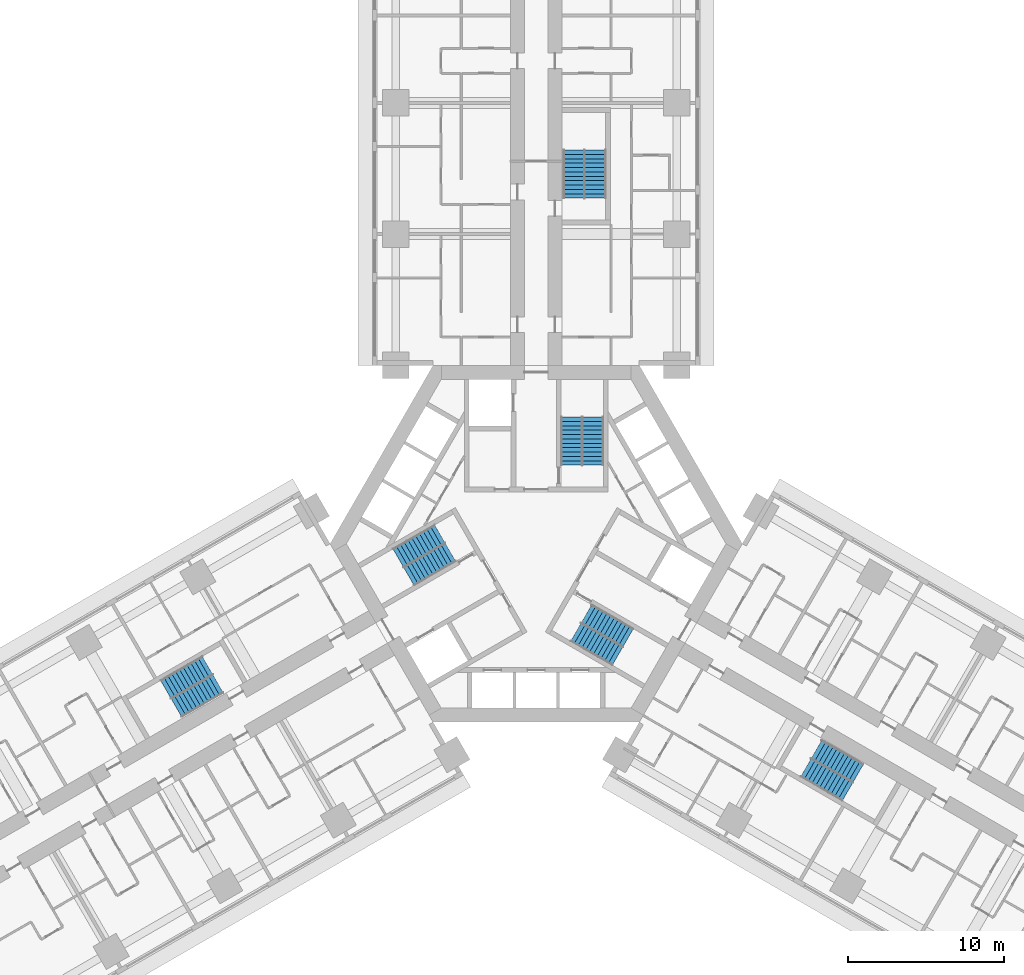
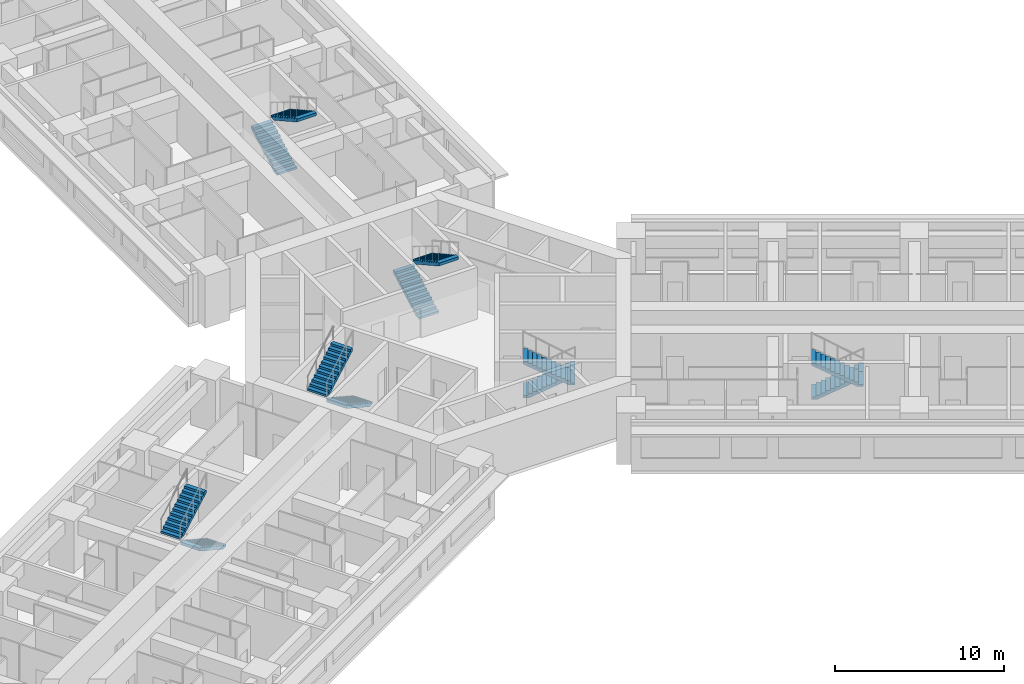
# One storey, part 15 of 16: 12 stair flights, 6 elements without a shape of their own.
"""IFC4 building model written with IfcOpenShell, lengths in metres."""

from ifc_helpers import new_model, si_unit, direction, frame, origin, place, context, subcontext, project, spatial, polyline, outline, extrude, material, type_object, element, aggregate, save


model = new_model("IFC4")

# Units and contexts
model_context = context("Model", 3, precision=1e-05, world=origin(), true_north=direction((0.0, 1.0)))
body_context = subcontext(model_context, "Body", "Model", "MODEL_VIEW")
ifc_project = project(units=[si_unit("LENGTHUNIT", "METRE"), si_unit("AREAUNIT", "SQUARE_METRE"), si_unit("VOLUMEUNIT", "CUBIC_METRE"), si_unit("PLANEANGLEUNIT", "RADIAN"), si_unit("MASSUNIT", "GRAM", prefix="KILO")], contexts=[model_context])

# Site, building, storey
site_placement = place(None, origin())
site = spatial("IfcSite", under=ifc_project, at=site_placement, CompositionType="ELEMENT")
building_placement = place(site_placement, origin())
building = spatial("IfcBuilding", under=site, at=building_placement, Name="Impinga Residences", CompositionType="ELEMENT")
storey_placement = place(building_placement, frame((0.0, 0.0, 41.0)))
storey = spatial("IfcBuildingStorey", under=building, at=storey_placement, Name="L09", CompositionType="ELEMENT", Elevation=41.0)

# Stair, stair flights
ifc_material = material(Name="Concrete C40/50", Category="concrete")
stair_type_1 = type_object("IfcStairType", Name="STR core stair 3750 storey, 24 risers", PredefinedType="HALF_TURN_STAIR", material=ifc_material)
stair_1_placement = place(storey_placement, origin())
stair_1 = element("IfcStair", 1, at=stair_1_placement, inside=storey, type_object=stair_type_1, Name="Stair ST1 L09", PredefinedType="HALF_TURN_STAIR")
stair_flight_type = type_object("IfcStairFlightType", Name="SF 12 risers of 156", PredefinedType="STRAIGHT", material=ifc_material)
stair_flight_1_placement = place(storey_placement, frame((2.27490234375, 5.030029296875, 0.0), z_axis=(0.0, 0.0, 1.0), x_axis=(0.0, 1.0, 0.0)))
stair_flight_1 = element("IfcStairFlight", 2, at=stair_flight_1_placement, type_object=stair_flight_type, Name="ST1 flight 1", NumberOfRisers=12, NumberOfTreads=11, PredefinedType="STRAIGHT", RiserHeight=0.15625, TreadLength=0.28, context=body_context, shape_type="SweptSolid", body=[
    extrude(outline(polyline([(0.0, 0.0), (0.0, 0.15625), (0.280029296875, 0.15625), (0.280029296875, 0.3125), (0.56005859375, 0.3125), (0.56005859375, 0.46875), (0.840087890625, 0.46875), (0.840087890625, 0.625), (1.1201171875, 0.625), (1.1201171875, 0.78125), (1.39990234375, 0.78125), (1.39990234375, 0.9375), (1.679931640625, 0.9375), (1.679931640625, 1.09375), (1.9599609375, 1.09375), (1.9599609375, 1.25), (2.239990234375, 1.25), (2.239990234375, 1.40625), (2.52001953125, 1.40625), (2.52001953125, 1.5625), (2.800048828125, 1.5625), (2.800048828125, 1.71875), (3.080078125, 1.71875), (3.080078125, 1.875), (3.080078125, 1.5126953125), (0.369140625, 0.0), (0.0, 0.0)])), frame((0.0, 0.675048828125, 0.0), z_axis=(0.0, -1.0, 0.0), x_axis=(1.0, 0.0, 0.0)), (0.0, 0.0, 1.0), 1.35009765625),
])
stair_flight_2_placement = place(storey_placement, frame((3.625, 8.110107421875, 1.875), z_axis=(0.0, 0.0, 1.0), x_axis=(0.0, -1.0, 0.0)))
stair_flight_2 = element("IfcStairFlight", 3, at=stair_flight_2_placement, type_object=stair_flight_type, Name="ST1 flight 2", NumberOfRisers=12, NumberOfTreads=11, PredefinedType="STRAIGHT", RiserHeight=0.15625, TreadLength=0.28, context=body_context, shape_type="SweptSolid", body=[
    extrude(outline(polyline([(0.0, 0.0), (0.0, 0.15625), (0.280029296875, 0.15625), (0.280029296875, 0.3125), (0.56005859375, 0.3125), (0.56005859375, 0.46875), (0.840087890625, 0.46875), (0.840087890625, 0.625), (1.1201171875, 0.625), (1.1201171875, 0.78125), (1.39990234375, 0.78125), (1.39990234375, 0.9375), (1.679931640625, 0.9375), (1.679931640625, 1.09375), (1.9599609375, 1.09375), (1.9599609375, 1.25), (2.239990234375, 1.25), (2.239990234375, 1.40625), (2.52001953125, 1.40625), (2.52001953125, 1.5625), (2.800048828125, 1.5625), (2.800048828125, 1.71875), (3.080078125, 1.71875), (3.080078125, 1.875), (3.080078125, 1.5126953125), (0.369140625, 0.0), (0.0, 0.0)])), frame((0.0, 0.675048828125, 0.0), z_axis=(0.0, -1.0, 0.0), x_axis=(1.0, 0.0, 0.0)), (0.0, 0.0, 1.0), 1.35009765625),
])
aggregate(stair_1, [stair_flight_1, stair_flight_2])

stair_2_placement = place(storey_placement, origin())
stair_2 = element("IfcStair", 4, at=stair_2_placement, inside=storey, type_object=stair_type_1, Name="Stair ST2 L09", PredefinedType="HALF_TURN_STAIR")
stair_flight_3_placement = place(storey_placement, frame((-5.49365234375, -0.544677734375, 0.0), z_axis=(0.0, 0.0, 1.0), x_axis=(-0.866025403784, -0.5, 0.0)))
stair_flight_3 = element("IfcStairFlight", 5, at=stair_flight_3_placement, type_object=stair_flight_type, Name="ST2 flight 1", NumberOfRisers=12, NumberOfTreads=11, PredefinedType="STRAIGHT", RiserHeight=0.15625, TreadLength=0.28, context=body_context, shape_type="SweptSolid", body=[
    extrude(outline(polyline([(0.0, 0.0), (0.0, 0.15625), (0.280029296875, 0.15625), (0.280029296875, 0.3125), (0.56005859375, 0.3125), (0.56005859375, 0.46875), (0.840087890625, 0.46875), (0.840087890625, 0.625), (1.1201171875, 0.625), (1.1201171875, 0.78125), (1.39990234375, 0.78125), (1.39990234375, 0.9375), (1.679931640625, 0.9375), (1.679931640625, 1.09375), (1.9599609375, 1.09375), (1.9599609375, 1.25), (2.239990234375, 1.25), (2.239990234375, 1.40625), (2.52001953125, 1.40625), (2.52001953125, 1.5625), (2.800048828125, 1.5625), (2.800048828125, 1.71875), (3.080078125, 1.71875), (3.080078125, 1.875), (3.080078125, 1.5126953125), (0.369140625, 0.0), (0.0, 0.0)])), frame((0.0, 0.675048828125, 0.0), z_axis=(0.0, -1.0, 0.0), x_axis=(1.0, 0.0, 0.0)), (0.0, 0.0, 1.0), 1.35009765625),
])
stair_flight_4_placement = place(storey_placement, frame((-8.8359375, -0.915771484375, 1.875), z_axis=(0.0, 0.0, 1.0), x_axis=(0.866025403784, 0.5, 0.0)))
stair_flight_4 = element("IfcStairFlight", 6, at=stair_flight_4_placement, type_object=stair_flight_type, Name="ST2 flight 2", NumberOfRisers=12, NumberOfTreads=11, PredefinedType="STRAIGHT", RiserHeight=0.15625, TreadLength=0.28, context=body_context, shape_type="SweptSolid", body=[
    extrude(outline(polyline([(0.0, 0.0), (0.0, 0.15625), (0.280029296875, 0.15625), (0.280029296875, 0.3125), (0.56005859375, 0.3125), (0.56005859375, 0.46875), (0.840087890625, 0.46875), (0.840087890625, 0.625), (1.1201171875, 0.625), (1.1201171875, 0.78125), (1.39990234375, 0.78125), (1.39990234375, 0.9375), (1.679931640625, 0.9375), (1.679931640625, 1.09375), (1.9599609375, 1.09375), (1.9599609375, 1.25), (2.239990234375, 1.25), (2.239990234375, 1.40625), (2.52001953125, 1.40625), (2.52001953125, 1.5625), (2.800048828125, 1.5625), (2.800048828125, 1.71875), (3.080078125, 1.71875), (3.080078125, 1.875), (3.080078125, 1.5126953125), (0.369140625, 0.0), (0.0, 0.0)])), frame((0.0, 0.675048828125, 0.0), z_axis=(0.0, -1.0, 0.0), x_axis=(1.0, 0.0, 0.0)), (0.0, 0.0, 1.0), 1.35009765625),
])
aggregate(stair_2, [stair_flight_3, stair_flight_4])

stair_3_placement = place(storey_placement, origin())
stair_3 = element("IfcStair", 7, at=stair_3_placement, inside=storey, type_object=stair_type_1, Name="Stair ST3 L09", PredefinedType="HALF_TURN_STAIR")
stair_flight_5_placement = place(storey_placement, frame((3.218505859375, -4.485107421875, 0.0), z_axis=(0.0, 0.0, 1.0), x_axis=(0.866025403784, -0.5, 0.0)))
stair_flight_5 = element("IfcStairFlight", 8, at=stair_flight_5_placement, type_object=stair_flight_type, Name="ST3 flight 1", NumberOfRisers=12, NumberOfTreads=11, PredefinedType="STRAIGHT", RiserHeight=0.15625, TreadLength=0.28, context=body_context, shape_type="SweptSolid", body=[
    extrude(outline(polyline([(0.0, 0.0), (0.0, 0.15625), (0.280029296875, 0.15625), (0.280029296875, 0.3125), (0.56005859375, 0.3125), (0.56005859375, 0.46875), (0.840087890625, 0.46875), (0.840087890625, 0.625), (1.1201171875, 0.625), (1.1201171875, 0.78125), (1.39990234375, 0.78125), (1.39990234375, 0.9375), (1.679931640625, 0.9375), (1.679931640625, 1.09375), (1.9599609375, 1.09375), (1.9599609375, 1.25), (2.239990234375, 1.25), (2.239990234375, 1.40625), (2.52001953125, 1.40625), (2.52001953125, 1.5625), (2.800048828125, 1.5625), (2.800048828125, 1.71875), (3.080078125, 1.71875), (3.080078125, 1.875), (3.080078125, 1.5126953125), (0.369140625, 0.0), (0.0, 0.0)])), frame((0.0, 0.675048828125, 0.0), z_axis=(0.0, -1.0, 0.0), x_axis=(1.0, 0.0, 0.0)), (0.0, 0.0, 1.0), 1.35009765625),
])
stair_flight_6_placement = place(storey_placement, frame((5.2109375, -7.1943359375, 1.875), z_axis=(0.0, 0.0, 1.0), x_axis=(-0.866025403784, 0.5, 0.0)))
stair_flight_6 = element("IfcStairFlight", 9, at=stair_flight_6_placement, type_object=stair_flight_type, Name="ST3 flight 2", NumberOfRisers=12, NumberOfTreads=11, PredefinedType="STRAIGHT", RiserHeight=0.15625, TreadLength=0.28, context=body_context, shape_type="SweptSolid", body=[
    extrude(outline(polyline([(0.0, 0.0), (0.0, 0.15625), (0.280029296875, 0.15625), (0.280029296875, 0.3125), (0.56005859375, 0.3125), (0.56005859375, 0.46875), (0.840087890625, 0.46875), (0.840087890625, 0.625), (1.1201171875, 0.625), (1.1201171875, 0.78125), (1.39990234375, 0.78125), (1.39990234375, 0.9375), (1.679931640625, 0.9375), (1.679931640625, 1.09375), (1.9599609375, 1.09375), (1.9599609375, 1.25), (2.239990234375, 1.25), (2.239990234375, 1.40625), (2.52001953125, 1.40625), (2.52001953125, 1.5625), (2.800048828125, 1.5625), (2.800048828125, 1.71875), (3.080078125, 1.71875), (3.080078125, 1.875), (3.080078125, 1.5126953125), (0.369140625, 0.0), (0.0, 0.0)])), frame((0.0, 0.675048828125, 0.0), z_axis=(0.0, -1.0, 0.0), x_axis=(1.0, 0.0, 0.0)), (0.0, 0.0, 1.0), 1.35009765625),
])
aggregate(stair_3, [stair_flight_5, stair_flight_6])

stair_type_2 = type_object("IfcStairType", Name="STR wing stair 3750 storey, 24 risers", PredefinedType="HALF_TURN_STAIR", material=ifc_material)
stair_4_placement = place(storey_placement, origin())
stair_4 = element("IfcStair", 10, at=stair_4_placement, inside=storey, type_object=stair_type_2, Name="Stair WS1 L09", PredefinedType="HALF_TURN_STAIR")
stair_flight_7_placement = place(storey_placement, frame((2.425048828125, 22.131591796875, 0.0), z_axis=(0.0, 0.0, 1.0), x_axis=(0.0, 1.0, 0.0)))
stair_flight_7 = element("IfcStairFlight", 11, at=stair_flight_7_placement, type_object=stair_flight_type, Name="WS1 flight 1", NumberOfRisers=12, NumberOfTreads=11, PredefinedType="STRAIGHT", RiserHeight=0.15625, TreadLength=0.28, context=body_context, shape_type="SweptSolid", body=[
    extrude(outline(polyline([(0.0, 0.0), (0.0, 0.15625), (0.280029296875, 0.15625), (0.280029296875, 0.3125), (0.56005859375, 0.3125), (0.56005859375, 0.46875), (0.840087890625, 0.46875), (0.840087890625, 0.625), (1.1201171875, 0.625), (1.1201171875, 0.78125), (1.39990234375, 0.78125), (1.39990234375, 0.9375), (1.679931640625, 0.9375), (1.679931640625, 1.09375), (1.9599609375, 1.09375), (1.9599609375, 1.25), (2.239990234375, 1.25), (2.239990234375, 1.40625), (2.52001953125, 1.40625), (2.52001953125, 1.5625), (2.800048828125, 1.5625), (2.800048828125, 1.71875), (3.080078125, 1.71875), (3.080078125, 1.875), (3.080078125, 1.5126953125), (0.369140625, 0.0), (0.0, 0.0)])), frame((0.0, 0.675048828125, 0.0), z_axis=(0.0, -1.0, 0.0), x_axis=(1.0, 0.0, 0.0)), (0.0, 0.0, 1.0), 1.35009765625),
])
stair_flight_8_placement = place(storey_placement, frame((3.77490234375, 25.21142578125, 1.875), z_axis=(0.0, 0.0, 1.0), x_axis=(0.0, -1.0, 0.0)))
stair_flight_8 = element("IfcStairFlight", 12, at=stair_flight_8_placement, type_object=stair_flight_type, Name="WS1 flight 2", NumberOfRisers=12, NumberOfTreads=11, PredefinedType="STRAIGHT", RiserHeight=0.15625, TreadLength=0.28, context=body_context, shape_type="SweptSolid", body=[
    extrude(outline(polyline([(0.0, 0.0), (0.0, 0.15625), (0.280029296875, 0.15625), (0.280029296875, 0.3125), (0.56005859375, 0.3125), (0.56005859375, 0.46875), (0.840087890625, 0.46875), (0.840087890625, 0.625), (1.1201171875, 0.625), (1.1201171875, 0.78125), (1.39990234375, 0.78125), (1.39990234375, 0.9375), (1.679931640625, 0.9375), (1.679931640625, 1.09375), (1.9599609375, 1.09375), (1.9599609375, 1.25), (2.239990234375, 1.25), (2.239990234375, 1.40625), (2.52001953125, 1.40625), (2.52001953125, 1.5625), (2.800048828125, 1.5625), (2.800048828125, 1.71875), (3.080078125, 1.71875), (3.080078125, 1.875), (3.080078125, 1.5126953125), (0.369140625, 0.0), (0.0, 0.0)])), frame((0.0, 0.675048828125, 0.0), z_axis=(0.0, -1.0, 0.0), x_axis=(1.0, 0.0, 0.0)), (0.0, 0.0, 1.0), 1.35009765625),
])
aggregate(stair_4, [stair_flight_7, stair_flight_8])

stair_5_placement = place(storey_placement, origin())
stair_5 = element("IfcStair", 13, at=stair_5_placement, inside=storey, type_object=stair_type_2, Name="Stair WS2 L09", PredefinedType="HALF_TURN_STAIR")
stair_flight_9_placement = place(storey_placement, frame((-20.37890625, -8.965576171875, 0.0), z_axis=(0.0, 0.0, 1.0), x_axis=(-0.866025403784, -0.5, 0.0)))
stair_flight_9 = element("IfcStairFlight", 14, at=stair_flight_9_placement, type_object=stair_flight_type, Name="WS2 flight 1", NumberOfRisers=12, NumberOfTreads=11, PredefinedType="STRAIGHT", RiserHeight=0.15625, TreadLength=0.28, context=body_context, shape_type="SweptSolid", body=[
    extrude(outline(polyline([(0.0, 0.0), (0.0, 0.15625), (0.280029296875, 0.15625), (0.280029296875, 0.3125), (0.56005859375, 0.3125), (0.56005859375, 0.46875), (0.840087890625, 0.46875), (0.840087890625, 0.625), (1.1201171875, 0.625), (1.1201171875, 0.78125), (1.39990234375, 0.78125), (1.39990234375, 0.9375), (1.679931640625, 0.9375), (1.679931640625, 1.09375), (1.9599609375, 1.09375), (1.9599609375, 1.25), (2.239990234375, 1.25), (2.239990234375, 1.40625), (2.52001953125, 1.40625), (2.52001953125, 1.5625), (2.800048828125, 1.5625), (2.800048828125, 1.71875), (3.080078125, 1.71875), (3.080078125, 1.875), (3.080078125, 1.5126953125), (0.369140625, 0.0), (0.0, 0.0)])), frame((0.0, 0.675048828125, 0.0), z_axis=(0.0, -1.0, 0.0), x_axis=(1.0, 0.0, 0.0)), (0.0, 0.0, 1.0), 1.35009765625),
])
stair_flight_10_placement = place(storey_placement, frame((-23.721435546875, -9.33642578125, 1.875), z_axis=(0.0, 0.0, 1.0), x_axis=(0.866025403784, 0.5, 0.0)))
stair_flight_10 = element("IfcStairFlight", 15, at=stair_flight_10_placement, type_object=stair_flight_type, Name="WS2 flight 2", NumberOfRisers=12, NumberOfTreads=11, PredefinedType="STRAIGHT", RiserHeight=0.15625, TreadLength=0.28, context=body_context, shape_type="SweptSolid", body=[
    extrude(outline(polyline([(0.0, 0.0), (0.0, 0.15625), (0.280029296875, 0.15625), (0.280029296875, 0.3125), (0.56005859375, 0.3125), (0.56005859375, 0.46875), (0.840087890625, 0.46875), (0.840087890625, 0.625), (1.1201171875, 0.625), (1.1201171875, 0.78125), (1.39990234375, 0.78125), (1.39990234375, 0.9375), (1.679931640625, 0.9375), (1.679931640625, 1.09375), (1.9599609375, 1.09375), (1.9599609375, 1.25), (2.239990234375, 1.25), (2.239990234375, 1.40625), (2.52001953125, 1.40625), (2.52001953125, 1.5625), (2.800048828125, 1.5625), (2.800048828125, 1.71875), (3.080078125, 1.71875), (3.080078125, 1.875), (3.080078125, 1.5126953125), (0.369140625, 0.0), (0.0, 0.0)])), frame((0.0, 0.675048828125, 0.0), z_axis=(0.0, -1.0, 0.0), x_axis=(1.0, 0.0, 0.0)), (0.0, 0.0, 1.0), 1.35009765625),
])
aggregate(stair_5, [stair_flight_9, stair_flight_10])

stair_6_placement = place(storey_placement, origin())
stair_6 = element("IfcStair", 16, at=stair_6_placement, inside=storey, type_object=stair_type_2, Name="Stair WS3 L09", PredefinedType="HALF_TURN_STAIR")
stair_flight_11_placement = place(storey_placement, frame((17.953857421875, -13.165771484375, 0.0), z_axis=(0.0, 0.0, 1.0), x_axis=(0.866025403784, -0.5, 0.0)))
stair_flight_11 = element("IfcStairFlight", 17, at=stair_flight_11_placement, type_object=stair_flight_type, Name="WS3 flight 1", NumberOfRisers=12, NumberOfTreads=11, PredefinedType="STRAIGHT", RiserHeight=0.15625, TreadLength=0.28, context=body_context, shape_type="SweptSolid", body=[
    extrude(outline(polyline([(0.0, 0.0), (0.0, 0.15625), (0.280029296875, 0.15625), (0.280029296875, 0.3125), (0.56005859375, 0.3125), (0.56005859375, 0.46875), (0.840087890625, 0.46875), (0.840087890625, 0.625), (1.1201171875, 0.625), (1.1201171875, 0.78125), (1.39990234375, 0.78125), (1.39990234375, 0.9375), (1.679931640625, 0.9375), (1.679931640625, 1.09375), (1.9599609375, 1.09375), (1.9599609375, 1.25), (2.239990234375, 1.25), (2.239990234375, 1.40625), (2.52001953125, 1.40625), (2.52001953125, 1.5625), (2.800048828125, 1.5625), (2.800048828125, 1.71875), (3.080078125, 1.71875), (3.080078125, 1.875), (3.080078125, 1.5126953125), (0.369140625, 0.0), (0.0, 0.0)])), frame((0.0, 0.675048828125, 0.0), z_axis=(0.0, -1.0, 0.0), x_axis=(1.0, 0.0, 0.0)), (0.0, 0.0, 1.0), 1.35009765625),
])
stair_flight_12_placement = place(storey_placement, frame((19.9462890625, -15.875, 1.875), z_axis=(0.0, 0.0, 1.0), x_axis=(-0.866025403784, 0.5, 0.0)))
stair_flight_12 = element("IfcStairFlight", 18, at=stair_flight_12_placement, type_object=stair_flight_type, Name="WS3 flight 2", NumberOfRisers=12, NumberOfTreads=11, PredefinedType="STRAIGHT", RiserHeight=0.15625, TreadLength=0.28, context=body_context, shape_type="SweptSolid", body=[
    extrude(outline(polyline([(0.0, 0.0), (0.0, 0.15625), (0.280029296875, 0.15625), (0.280029296875, 0.3125), (0.56005859375, 0.3125), (0.56005859375, 0.46875), (0.840087890625, 0.46875), (0.840087890625, 0.625), (1.1201171875, 0.625), (1.1201171875, 0.78125), (1.39990234375, 0.78125), (1.39990234375, 0.9375), (1.679931640625, 0.9375), (1.679931640625, 1.09375), (1.9599609375, 1.09375), (1.9599609375, 1.25), (2.239990234375, 1.25), (2.239990234375, 1.40625), (2.52001953125, 1.40625), (2.52001953125, 1.5625), (2.800048828125, 1.5625), (2.800048828125, 1.71875), (3.080078125, 1.71875), (3.080078125, 1.875), (3.080078125, 1.5126953125), (0.369140625, 0.0), (0.0, 0.0)])), frame((0.0, 0.675048828125, 0.0), z_axis=(0.0, -1.0, 0.0), x_axis=(1.0, 0.0, 0.0)), (0.0, 0.0, 1.0), 1.35009765625),
])
aggregate(stair_6, [stair_flight_11, stair_flight_12])

save(model, "model.ifc")
